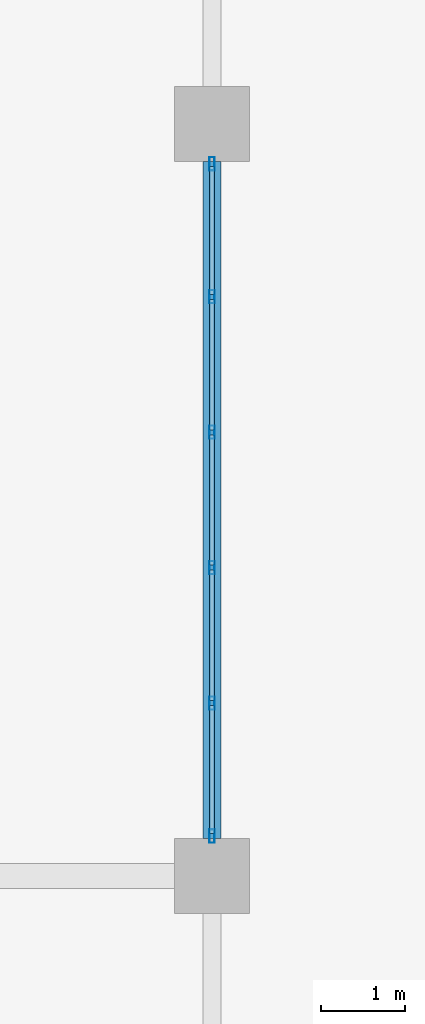
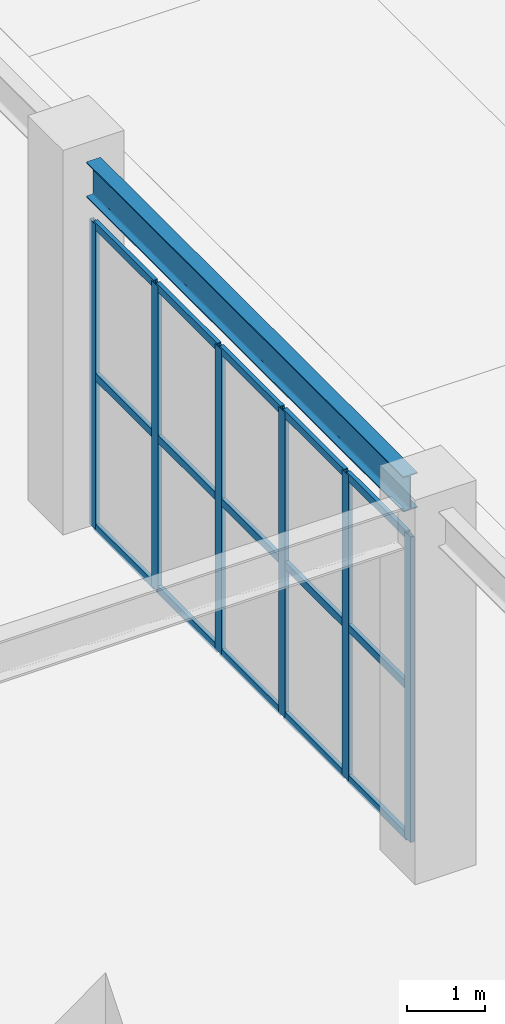
# One storey, part 28 of 91: 21 members, 1 beam, 1 element without a shape of its own.
"""IFC4 building model written with IfcOpenShell, lengths in metres."""

from ifc_helpers import new_model, si_unit, direction, frame, origin, origin_2d, place, context, subcontext, project, spatial, hollow_rectangle, i_section, extrude, material, layer, layer_set, material_profile, profile_set, type_object, element, aggregate, save


model = new_model("IFC4")

# Units and contexts
model_context = context("Model", 3, precision=1e-05, world=origin(), true_north=direction((0.0, 1.0)))
body_context = subcontext(model_context, "Body", "Model", "MODEL_VIEW")
ifc_project = project(units=[si_unit("LENGTHUNIT", "METRE"), si_unit("AREAUNIT", "SQUARE_METRE"), si_unit("VOLUMEUNIT", "CUBIC_METRE"), si_unit("PLANEANGLEUNIT", "RADIAN"), si_unit("MASSUNIT", "GRAM", prefix="KILO")], contexts=[model_context])

# Site, building, storey
site_placement = place(None, origin())
site = spatial("IfcSite", under=ifc_project, at=site_placement, CompositionType="ELEMENT")
building_placement = place(site_placement, origin())
building = spatial("IfcBuilding", under=site, at=building_placement, Name="Dornveld Trade and Exhibition Forum", CompositionType="ELEMENT")
storey_placement = place(building_placement, origin())
storey = spatial("IfcBuildingStorey", under=building, at=storey_placement, Name="L00", CompositionType="ELEMENT", Elevation=0.0)

# Beam
ifc_material_1 = material(Name="Steel S355J2", Category="steel")
ifc_material_profile_1 = material_profile(ifc_material_1, i_section(OverallWidth=0.2099609375, OverallDepth=0.550048828125, WebThickness=0.010986328125, FlangeThickness=0.01708984375, FilletRadius=0.02392578125, at=origin_2d()), Name="IPE 550")
ifc_profile_set_1 = profile_set([ifc_material_profile_1], Name="Steel S355J2")
beam_type = type_object("IfcBeamType", Name="BM-SEC-550", PredefinedType="BEAM", material=ifc_profile_set_1)
beam_placement = place(storey_placement, frame((153.0, 81.446044921875, 5.425048828125), z_axis=(0.0, 1.0, 0.0), x_axis=(-1.0, 0.0, 0.0)))
element("IfcBeam", 1, at=beam_placement, inside=storey, type_object=beam_type, Name="L00 Y-girder 746", PredefinedType="BEAM", context=body_context, shape_type="SweptSolid", body=[
    extrude(i_section(OverallWidth=0.2099609375, OverallDepth=0.550048828125, WebThickness=0.010986328125, FlangeThickness=0.01708984375, FilletRadius=0.02392578125, at=origin_2d()), origin(), (0.0, 0.0, 1.0), 8.10791015625),
])

# Curtain wall, members
ifc_material_2 = material(Name="Dark-bronze anodised aluminium and low-E glass", Category="aluminium")
ifc_layer = layer(ifc_material_2, 0.156982421875)
ifc_layer_set = layer_set([ifc_layer], Name="Dark-bronze anodised aluminium and low-E glass")
curtain_wall_type = type_object("IfcCurtainWallType", Name="CW-SYS-05", PredefinedType="USERDEFINED", material=ifc_layer_set)
curtain_wall_placement = place(storey_placement, origin())
curtain_wall = element("IfcCurtainWall", 2, at=curtain_wall_placement, inside=storey, type_object=curtain_wall_type, Name="L00 unitised curtain wall 59", ObjectType="UNITISED_CURTAIN_WALL", PredefinedType="USERDEFINED")
ifc_material_3 = material(Name="Dark-bronze anodised aluminium", Category="aluminium")
ifc_material_profile_2 = material_profile(ifc_material_3, hollow_rectangle(XDim=0.06005859375, YDim=0.159912109375, WallThickness=0.00390625, at=origin_2d()), Name="RHS 160x60x4")
ifc_profile_set_2 = profile_set([ifc_material_profile_2], Name="Dark-bronze anodised aluminium")
member_type_1 = type_object("IfcMemberType", Name="CW-MUL-160", PredefinedType="MULLION", material=ifc_profile_set_2)
member_1_placement = place(storey_placement, frame((153.0, 81.47607421875, -0.00390625), z_axis=(0.0, 0.0, 1.0), x_axis=(-1.0, 0.0, 0.0)))
member_1 = element("IfcMember", 3, at=member_1_placement, type_object=member_type_1, Name="CW-05 mullion 1", PredefinedType="MULLION", context=body_context, shape_type="SweptSolid", body=[
    extrude(hollow_rectangle(XDim=0.06005859375, YDim=0.159912109375, WallThickness=0.00390625, at=origin_2d()), origin(), (0.0, 0.0, 1.0), 4.763916015625),
])
member_2_placement = place(storey_placement, frame((153.0, 83.067626953125, -0.00390625), z_axis=(0.0, 0.0, 1.0), x_axis=(-1.0, 0.0, 0.0)))
member_2 = element("IfcMember", 4, at=member_2_placement, type_object=member_type_1, Name="CW-05 mullion 2", PredefinedType="MULLION", context=body_context, shape_type="SweptSolid", body=[
    extrude(hollow_rectangle(XDim=0.06005859375, YDim=0.159912109375, WallThickness=0.00390625, at=origin_2d()), origin(), (0.0, 0.0, 1.0), 4.763916015625),
])
member_3_placement = place(storey_placement, frame((153.0, 84.689208984375, -0.00390625), z_axis=(0.0, 0.0, 1.0), x_axis=(-1.0, 0.0, 0.0)))
member_3 = element("IfcMember", 5, at=member_3_placement, type_object=member_type_1, Name="CW-05 mullion 3", PredefinedType="MULLION", context=body_context, shape_type="SweptSolid", body=[
    extrude(hollow_rectangle(XDim=0.06005859375, YDim=0.159912109375, WallThickness=0.00390625, at=origin_2d()), origin(), (0.0, 0.0, 1.0), 4.763916015625),
])
member_4_placement = place(storey_placement, frame((153.0, 86.310791015625, -0.00390625), z_axis=(0.0, 0.0, 1.0), x_axis=(-1.0, 0.0, 0.0)))
member_4 = element("IfcMember", 6, at=member_4_placement, type_object=member_type_1, Name="CW-05 mullion 4", PredefinedType="MULLION", context=body_context, shape_type="SweptSolid", body=[
    extrude(hollow_rectangle(XDim=0.06005859375, YDim=0.159912109375, WallThickness=0.00390625, at=origin_2d()), origin(), (0.0, 0.0, 1.0), 4.763916015625),
])
member_5_placement = place(storey_placement, frame((153.0, 87.932373046875, -0.00390625), z_axis=(0.0, 0.0, 1.0), x_axis=(-1.0, 0.0, 0.0)))
member_5 = element("IfcMember", 7, at=member_5_placement, type_object=member_type_1, Name="CW-05 mullion 5", PredefinedType="MULLION", context=body_context, shape_type="SweptSolid", body=[
    extrude(hollow_rectangle(XDim=0.06005859375, YDim=0.159912109375, WallThickness=0.00390625, at=origin_2d()), origin(), (0.0, 0.0, 1.0), 4.763916015625),
])
member_6_placement = place(storey_placement, frame((153.0, 89.52392578125, -0.00390625), z_axis=(0.0, 0.0, 1.0), x_axis=(-1.0, 0.0, 0.0)))
member_6 = element("IfcMember", 8, at=member_6_placement, type_object=member_type_1, Name="CW-05 mullion 6", PredefinedType="MULLION", context=body_context, shape_type="SweptSolid", body=[
    extrude(hollow_rectangle(XDim=0.06005859375, YDim=0.159912109375, WallThickness=0.00390625, at=origin_2d()), origin(), (0.0, 0.0, 1.0), 4.763916015625),
])
ifc_material_4 = material(Name="Dark-bronze anodised aluminium", Category="aluminium")
ifc_material_profile_3 = material_profile(ifc_material_4, hollow_rectangle(XDim=0.06005859375, YDim=0.1201171875, WallThickness=0.00390625, at=origin_2d()), Name="RHS 120x60x4")
ifc_profile_set_3 = profile_set([ifc_material_profile_3], Name="Dark-bronze anodised aluminium")
member_type_2 = type_object("IfcMemberType", Name="CW-TRN-120", PredefinedType="USERDEFINED", material=ifc_profile_set_3)
member_7_placement = place(storey_placement, frame((153.0, 81.506103515625, 0.02587890625), z_axis=(0.0, 1.0, 0.0), x_axis=(-1.0, 0.0, 0.0)))
member_7 = element("IfcMember", 9, at=member_7_placement, type_object=member_type_2, Name="CW-05 transom 1.1", ObjectType="TRANSOM", PredefinedType="USERDEFINED", context=body_context, shape_type="SweptSolid", body=[
    extrude(hollow_rectangle(XDim=0.06005859375, YDim=0.1201171875, WallThickness=0.00390625, at=origin_2d()), origin(), (0.0, 0.0, 1.0), 1.531494140625),
])
member_8_placement = place(storey_placement, frame((153.0, 81.506103515625, 2.3779296875), z_axis=(0.0, 1.0, 0.0), x_axis=(-1.0, 0.0, 0.0)))
member_8 = element("IfcMember", 10, at=member_8_placement, type_object=member_type_2, Name="CW-05 transom 1.2", ObjectType="TRANSOM", PredefinedType="USERDEFINED", context=body_context, shape_type="SweptSolid", body=[
    extrude(hollow_rectangle(XDim=0.06005859375, YDim=0.1201171875, WallThickness=0.00390625, at=origin_2d()), origin(), (0.0, 0.0, 1.0), 1.531494140625),
])
member_9_placement = place(storey_placement, frame((153.0, 81.506103515625, 4.72998046875), z_axis=(0.0, 1.0, 0.0), x_axis=(-1.0, 0.0, 0.0)))
member_9 = element("IfcMember", 11, at=member_9_placement, type_object=member_type_2, Name="CW-05 transom 1.3", ObjectType="TRANSOM", PredefinedType="USERDEFINED", context=body_context, shape_type="SweptSolid", body=[
    extrude(hollow_rectangle(XDim=0.06005859375, YDim=0.1201171875, WallThickness=0.00390625, at=origin_2d()), origin(), (0.0, 0.0, 1.0), 1.531494140625),
])
member_10_placement = place(storey_placement, frame((153.0, 83.09765625, 0.02587890625), z_axis=(0.0, 1.0, 0.0), x_axis=(-1.0, 0.0, 0.0)))
member_10 = element("IfcMember", 12, at=member_10_placement, type_object=member_type_2, Name="CW-05 transom 2.1", ObjectType="TRANSOM", PredefinedType="USERDEFINED", context=body_context, shape_type="SweptSolid", body=[
    extrude(hollow_rectangle(XDim=0.06005859375, YDim=0.1201171875, WallThickness=0.00390625, at=origin_2d()), origin(), (0.0, 0.0, 1.0), 1.5615234375),
])
member_11_placement = place(storey_placement, frame((153.0, 83.09765625, 2.3779296875), z_axis=(0.0, 1.0, 0.0), x_axis=(-1.0, 0.0, 0.0)))
member_11 = element("IfcMember", 13, at=member_11_placement, type_object=member_type_2, Name="CW-05 transom 2.2", ObjectType="TRANSOM", PredefinedType="USERDEFINED", context=body_context, shape_type="SweptSolid", body=[
    extrude(hollow_rectangle(XDim=0.06005859375, YDim=0.1201171875, WallThickness=0.00390625, at=origin_2d()), origin(), (0.0, 0.0, 1.0), 1.5615234375),
])
member_12_placement = place(storey_placement, frame((153.0, 83.09765625, 4.72998046875), z_axis=(0.0, 1.0, 0.0), x_axis=(-1.0, 0.0, 0.0)))
member_12 = element("IfcMember", 14, at=member_12_placement, type_object=member_type_2, Name="CW-05 transom 2.3", ObjectType="TRANSOM", PredefinedType="USERDEFINED", context=body_context, shape_type="SweptSolid", body=[
    extrude(hollow_rectangle(XDim=0.06005859375, YDim=0.1201171875, WallThickness=0.00390625, at=origin_2d()), origin(), (0.0, 0.0, 1.0), 1.5615234375),
])
member_13_placement = place(storey_placement, frame((153.0, 84.71923828125, 0.02587890625), z_axis=(0.0, 1.0, 0.0), x_axis=(-1.0, 0.0, 0.0)))
member_13 = element("IfcMember", 15, at=member_13_placement, type_object=member_type_2, Name="CW-05 transom 3.1", ObjectType="TRANSOM", PredefinedType="USERDEFINED", context=body_context, shape_type="SweptSolid", body=[
    extrude(hollow_rectangle(XDim=0.06005859375, YDim=0.1201171875, WallThickness=0.00390625, at=origin_2d()), origin(), (0.0, 0.0, 1.0), 1.5615234375),
])
member_14_placement = place(storey_placement, frame((153.0, 84.71923828125, 2.3779296875), z_axis=(0.0, 1.0, 0.0), x_axis=(-1.0, 0.0, 0.0)))
member_14 = element("IfcMember", 16, at=member_14_placement, type_object=member_type_2, Name="CW-05 transom 3.2", ObjectType="TRANSOM", PredefinedType="USERDEFINED", context=body_context, shape_type="SweptSolid", body=[
    extrude(hollow_rectangle(XDim=0.06005859375, YDim=0.1201171875, WallThickness=0.00390625, at=origin_2d()), origin(), (0.0, 0.0, 1.0), 1.5615234375),
])
member_15_placement = place(storey_placement, frame((153.0, 84.71923828125, 4.72998046875), z_axis=(0.0, 1.0, 0.0), x_axis=(-1.0, 0.0, 0.0)))
member_15 = element("IfcMember", 17, at=member_15_placement, type_object=member_type_2, Name="CW-05 transom 3.3", ObjectType="TRANSOM", PredefinedType="USERDEFINED", context=body_context, shape_type="SweptSolid", body=[
    extrude(hollow_rectangle(XDim=0.06005859375, YDim=0.1201171875, WallThickness=0.00390625, at=origin_2d()), origin(), (0.0, 0.0, 1.0), 1.5615234375),
])
member_16_placement = place(storey_placement, frame((153.0, 86.3408203125, 0.02587890625), z_axis=(0.0, 1.0, 0.0), x_axis=(-1.0, 0.0, 0.0)))
member_16 = element("IfcMember", 18, at=member_16_placement, type_object=member_type_2, Name="CW-05 transom 4.1", ObjectType="TRANSOM", PredefinedType="USERDEFINED", context=body_context, shape_type="SweptSolid", body=[
    extrude(hollow_rectangle(XDim=0.06005859375, YDim=0.1201171875, WallThickness=0.00390625, at=origin_2d()), origin(), (0.0, 0.0, 1.0), 1.5615234375),
])
member_17_placement = place(storey_placement, frame((153.0, 86.3408203125, 2.3779296875), z_axis=(0.0, 1.0, 0.0), x_axis=(-1.0, 0.0, 0.0)))
member_17 = element("IfcMember", 19, at=member_17_placement, type_object=member_type_2, Name="CW-05 transom 4.2", ObjectType="TRANSOM", PredefinedType="USERDEFINED", context=body_context, shape_type="SweptSolid", body=[
    extrude(hollow_rectangle(XDim=0.06005859375, YDim=0.1201171875, WallThickness=0.00390625, at=origin_2d()), origin(), (0.0, 0.0, 1.0), 1.5615234375),
])
member_18_placement = place(storey_placement, frame((153.0, 86.3408203125, 4.72998046875), z_axis=(0.0, 1.0, 0.0), x_axis=(-1.0, 0.0, 0.0)))
member_18 = element("IfcMember", 20, at=member_18_placement, type_object=member_type_2, Name="CW-05 transom 4.3", ObjectType="TRANSOM", PredefinedType="USERDEFINED", context=body_context, shape_type="SweptSolid", body=[
    extrude(hollow_rectangle(XDim=0.06005859375, YDim=0.1201171875, WallThickness=0.00390625, at=origin_2d()), origin(), (0.0, 0.0, 1.0), 1.5615234375),
])
member_19_placement = place(storey_placement, frame((153.0, 87.96240234375, 0.02587890625), z_axis=(0.0, 1.0, 0.0), x_axis=(-1.0, 0.0, 0.0)))
member_19 = element("IfcMember", 21, at=member_19_placement, type_object=member_type_2, Name="CW-05 transom 5.1", ObjectType="TRANSOM", PredefinedType="USERDEFINED", context=body_context, shape_type="SweptSolid", body=[
    extrude(hollow_rectangle(XDim=0.06005859375, YDim=0.1201171875, WallThickness=0.00390625, at=origin_2d()), origin(), (0.0, 0.0, 1.0), 1.531494140625),
])
member_20_placement = place(storey_placement, frame((153.0, 87.96240234375, 2.3779296875), z_axis=(0.0, 1.0, 0.0), x_axis=(-1.0, 0.0, 0.0)))
member_20 = element("IfcMember", 22, at=member_20_placement, type_object=member_type_2, Name="CW-05 transom 5.2", ObjectType="TRANSOM", PredefinedType="USERDEFINED", context=body_context, shape_type="SweptSolid", body=[
    extrude(hollow_rectangle(XDim=0.06005859375, YDim=0.1201171875, WallThickness=0.00390625, at=origin_2d()), origin(), (0.0, 0.0, 1.0), 1.531494140625),
])
member_21_placement = place(storey_placement, frame((153.0, 87.96240234375, 4.72998046875), z_axis=(0.0, 1.0, 0.0), x_axis=(-1.0, 0.0, 0.0)))
member_21 = element("IfcMember", 23, at=member_21_placement, type_object=member_type_2, Name="CW-05 transom 5.3", ObjectType="TRANSOM", PredefinedType="USERDEFINED", context=body_context, shape_type="SweptSolid", body=[
    extrude(hollow_rectangle(XDim=0.06005859375, YDim=0.1201171875, WallThickness=0.00390625, at=origin_2d()), origin(), (0.0, 0.0, 1.0), 1.531494140625),
])
aggregate(curtain_wall, [member_1, member_2, member_3, member_4, member_5, member_6, member_7, member_8, member_9, member_10, member_11, member_12, member_13, member_14, member_15, member_16, member_17, member_18, member_19, member_20, member_21])

save(model, "model.ifc")
